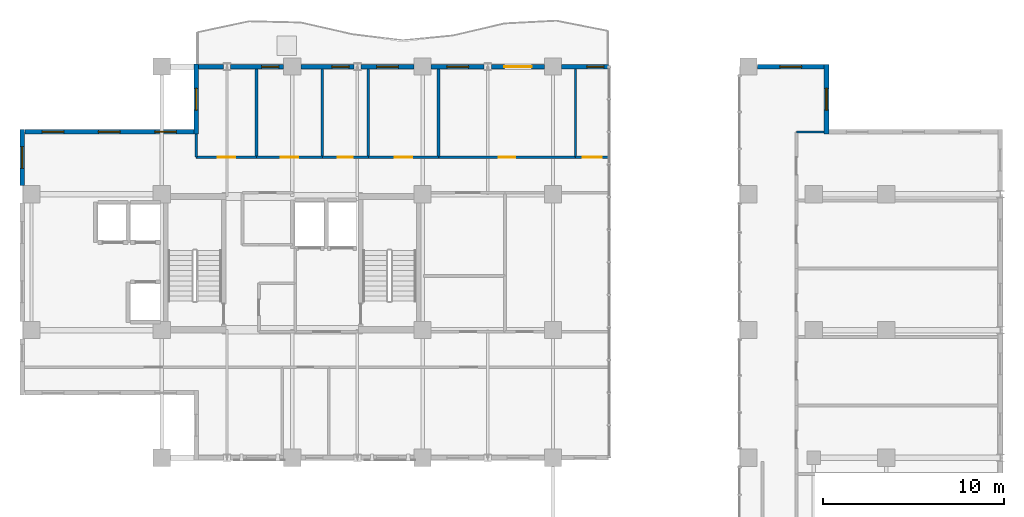
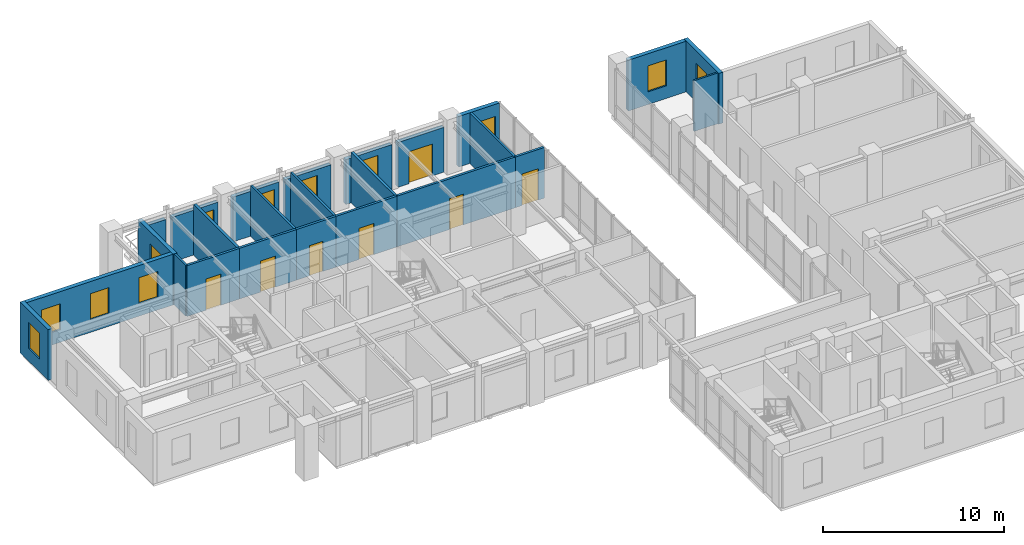
# One storey, part 20 of 24: 25 walls, 12 windows, 7 doors, 19 openings.
"""IFC4 building model written with IfcOpenShell, lengths in metres."""

from ifc_helpers import new_model, si_unit, direction, frame, frame_2d, origin, place, context, subcontext, project, spatial, rectangle, extrude, material, layer, layer_set, type_object, element, fill, save


model = new_model("IFC4")

# Units and contexts
model_context = context("Model", 3, precision=1e-05, world=origin(), true_north=direction((0.0, 1.0)))
body_context = subcontext(model_context, "Body", "Model", "MODEL_VIEW")
ifc_project = project(units=[si_unit("LENGTHUNIT", "METRE"), si_unit("AREAUNIT", "SQUARE_METRE"), si_unit("VOLUMEUNIT", "CUBIC_METRE"), si_unit("PLANEANGLEUNIT", "RADIAN"), si_unit("MASSUNIT", "GRAM", prefix="KILO")], contexts=[model_context])

# Site, building, storey
site_placement = place(None, origin())
site = spatial("IfcSite", under=ifc_project, at=site_placement, CompositionType="ELEMENT")
building_placement = place(site_placement, origin())
building = spatial("IfcBuilding", under=site, at=building_placement, Name="Kaliganga Portal Commons", CompositionType="ELEMENT")
storey_placement = place(building_placement, frame((0.0, 0.0, 242.5)))
storey = spatial("IfcBuildingStorey", under=building, at=storey_placement, Name="L62", CompositionType="ELEMENT", Elevation=242.5)

# Wall, opening, window
ifc_material_1 = material(Name="Insulated Aluminium-Clad Spandrel Assembly", Category="aluminium")
ifc_layer_1 = layer(ifc_material_1, 0.260009765625)
ifc_layer_set_1 = layer_set([ifc_layer_1], Name="Insulated Aluminium-Clad Spandrel Assembly")
wall_type_1 = type_object("IfcWallType", Name="WL-EXT-SPAND-260", PredefinedType="STANDARD", material=ifc_layer_set_1)
wall_1_placement = place(storey_placement, frame((36.47607421875, 43.199951171875, 0.0), z_axis=(0.0, 0.0, 1.0), x_axis=(1.0, 0.0, 0.0)))
wall_1 = element("IfcWall", 1, at=wall_1_placement, inside=storey, type_object=wall_type_1, Name="Exterior Envelope Wall L62 P1-E02-S1", PredefinedType="STANDARD", context=body_context, shape_type="SweptSolid", body=[
    extrude(rectangle(XDim=2.5869140625, YDim=0.260009765625, at=frame_2d((1.29345703125, 0.0))), origin(), (0.0, 0.0, 1.0), 3.419921875),
])
opening_1_placement = place(wall_1_placement, frame((1.3876953125, 0.0, 0.85009765625)))
opening_1 = element("IfcOpeningElement", 2, at=opening_1_placement, cuts=wall_1, Name="Opening W-04", PredefinedType="OPENING", context=body_context, shape_type="SweptSolid", body=[
    extrude(rectangle(XDim=0.949951171875, YDim=1.75, at=frame_2d((0.47509765625, 0.875))), frame((0.0, 0.14013671875, 0.0), z_axis=(0.0, -1.0, 0.0), x_axis=(1.0, 0.0, 0.0)), (0.0, 0.0, 1.0), 0.280029296875),
])
ifc_material_2 = material(Name="Thermally Broken Aluminium and Low-E Double Glazing", Category="aluminium")
window_type_1 = type_object("IfcWindowType", Name="WIN-NARROW-950", PartitioningType="SINGLE_PANEL", PredefinedType="WINDOW", material=ifc_material_2)
window_1_placement = place(opening_1_placement, origin())
window_1 = element("IfcWindow", 3, at=window_1_placement, inside=storey, type_object=window_type_1, Name="Facade Window L62-P1E02S1-N4", OverallHeight=1.75, OverallWidth=0.949951171875, PartitioningType="SINGLE_PANEL", PredefinedType="WINDOW", context=body_context, shape_type="SweptSolid", body=[
    extrude(rectangle(XDim=0.949951171875, YDim=1.75, at=frame_2d((0.47509765625, 0.875))), frame((0.0, 0.030029296875, 0.0), z_axis=(0.0, -1.0, 0.0), x_axis=(1.0, 0.0, 0.0)), (0.0, 0.0, 1.0), 0.06005859375),
])
fill(opening_1, window_1)

# Wall, opening, door
wall_2_placement = place(storey_placement, frame((32.6005859375, 43.199951171875, 0.0), z_axis=(0.0, 0.0, 1.0), x_axis=(1.0, 0.0, 0.0)))
wall_2 = element("IfcWall", 4, at=wall_2_placement, inside=storey, type_object=wall_type_1, Name="Exterior Envelope Wall L62 P1-E02-S2", PredefinedType="STANDARD", context=body_context, shape_type="SweptSolid", body=[
    extrude(rectangle(XDim=2.92333984375, YDim=0.260009765625, at=frame_2d((1.461669921875, 0.0))), origin(), (0.0, 0.0, 1.0), 3.02001953125),
])
opening_2_placement = place(wall_2_placement, frame((0.7119140625, 0.0, 0.0)))
opening_2 = element("IfcOpeningElement", 5, at=opening_2_placement, cuts=wall_2, Name="Opening BD-01", PredefinedType="OPENING", context=body_context, shape_type="SweptSolid", body=[
    extrude(rectangle(XDim=1.5, YDim=2.14990234375, at=frame_2d((0.75, 1.074951171875))), frame((0.0, 0.14013671875, 0.0), z_axis=(0.0, -1.0, 0.0), x_axis=(1.0, 0.0, 0.0)), (0.0, 0.0, 1.0), 0.280029296875),
])
ifc_material_3 = material(Name="Anodized Aluminium and Laminated Safety Glass", Category="aluminium")
door_type_1 = type_object("IfcDoorType", Name="DR-BALC-1500", OperationType="SLIDING_TO_LEFT", PredefinedType="DOOR", material=ifc_material_3)
door_1_placement = place(opening_2_placement, origin())
door_1 = element("IfcDoor", 6, at=door_1_placement, inside=storey, type_object=door_type_1, Name="Balcony Sliding Door L62 balc_north", OperationType="SLIDING_TO_LEFT", OverallHeight=2.14990234375, OverallWidth=1.5, PredefinedType="DOOR", context=body_context, shape_type="SweptSolid", body=[
    extrude(rectangle(XDim=1.5, YDim=2.14990234375, at=frame_2d((0.75, 1.074951171875))), frame((0.0, 0.02490234375, 0.0), z_axis=(0.0, -1.0, 0.0), x_axis=(1.0, 0.0, 0.0)), (0.0, 0.0, 1.0), 0.050048828125),
])
fill(opening_2, door_1)

# Wall, opening, window
wall_3_placement = place(storey_placement, frame((29.27587890625, 43.199951171875, 0.0), z_axis=(0.0, 0.0, 1.0), x_axis=(1.0, 0.0, 0.0)))
wall_3 = element("IfcWall", 7, at=wall_3_placement, inside=storey, type_object=wall_type_1, Name="Exterior Envelope Wall L62 P1-E02-S3", PredefinedType="STANDARD", context=body_context, shape_type="SweptSolid", body=[
    extrude(rectangle(XDim=2.923583984375, YDim=0.260009765625, at=frame_2d((1.4619140625, 0.0))), origin(), (0.0, 0.0, 1.0), 3.02001953125),
])
opening_3_placement = place(wall_3_placement, frame((0.86181640625, 0.0, 0.85009765625)))
opening_3 = element("IfcOpeningElement", 8, at=opening_3_placement, cuts=wall_3, Name="Opening W-03", PredefinedType="OPENING", context=body_context, shape_type="SweptSolid", body=[
    extrude(rectangle(XDim=1.199951171875, YDim=1.75, at=frame_2d((0.60009765625, 0.875))), frame((0.0, 0.14013671875, 0.0), z_axis=(0.0, -1.0, 0.0), x_axis=(1.0, 0.0, 0.0)), (0.0, 0.0, 1.0), 0.280029296875),
])
window_type_2 = type_object("IfcWindowType", Name="WIN-STD-1200", PartitioningType="SINGLE_PANEL", PredefinedType="WINDOW", material=ifc_material_2)
window_2_placement = place(opening_3_placement, origin())
window_2 = element("IfcWindow", 9, at=window_2_placement, inside=storey, type_object=window_type_2, Name="Facade Window L62-P1E02S3-00", OverallHeight=1.75, OverallWidth=1.199951171875, PartitioningType="SINGLE_PANEL", PredefinedType="WINDOW", context=body_context, shape_type="SweptSolid", body=[
    extrude(rectangle(XDim=1.199951171875, YDim=1.75, at=frame_2d((0.60009765625, 0.875))), frame((0.0, 0.030029296875, 0.0), z_axis=(0.0, -1.0, 0.0), x_axis=(1.0, 0.0, 0.0)), (0.0, 0.0, 1.0), 0.06005859375),
])
fill(opening_3, window_2)

wall_4_placement = place(storey_placement, frame((25.400390625, 43.199951171875, 0.0), z_axis=(0.0, 0.0, 1.0), x_axis=(1.0, 0.0, 0.0)))
wall_4 = element("IfcWall", 10, at=wall_4_placement, inside=storey, type_object=wall_type_1, Name="Exterior Envelope Wall L62 P1-E02-S4", PredefinedType="STANDARD", context=body_context, shape_type="SweptSolid", body=[
    extrude(rectangle(XDim=2.923583984375, YDim=0.260009765625, at=frame_2d((1.4619140625, 0.0))), origin(), (0.0, 0.0, 1.0), 3.02001953125),
])
opening_4_placement = place(wall_4_placement, frame((0.86181640625, 0.0, 0.85009765625)))
opening_4 = element("IfcOpeningElement", 11, at=opening_4_placement, cuts=wall_4, Name="Opening W-03", PredefinedType="OPENING", context=body_context, shape_type="SweptSolid", body=[
    extrude(rectangle(XDim=1.199951171875, YDim=1.75, at=frame_2d((0.60009765625, 0.875))), frame((0.0, 0.14013671875, 0.0), z_axis=(0.0, -1.0, 0.0), x_axis=(1.0, 0.0, 0.0)), (0.0, 0.0, 1.0), 0.280029296875),
])
window_3_placement = place(opening_4_placement, origin())
window_3 = element("IfcWindow", 12, at=window_3_placement, inside=storey, type_object=window_type_2, Name="Facade Window L62-P1E02S4-00", OverallHeight=1.75, OverallWidth=1.199951171875, PartitioningType="SINGLE_PANEL", PredefinedType="WINDOW", context=body_context, shape_type="SweptSolid", body=[
    extrude(rectangle(XDim=1.199951171875, YDim=1.75, at=frame_2d((0.60009765625, 0.875))), frame((0.0, 0.030029296875, 0.0), z_axis=(0.0, -1.0, 0.0), x_axis=(1.0, 0.0, 0.0)), (0.0, 0.0, 1.0), 0.06005859375),
])
fill(opening_4, window_3)

wall_5_placement = place(storey_placement, frame((22.075927734375, 43.199951171875, 0.0), z_axis=(0.0, 0.0, 1.0), x_axis=(1.0, 0.0, 0.0)))
wall_5 = element("IfcWall", 13, at=wall_5_placement, inside=storey, type_object=wall_type_1, Name="Exterior Envelope Wall L62 P1-E02-S5", PredefinedType="STANDARD", context=body_context, shape_type="SweptSolid", body=[
    extrude(rectangle(XDim=2.923583984375, YDim=0.260009765625, at=frame_2d((1.4619140625, 0.0))), origin(), (0.0, 0.0, 1.0), 3.02001953125),
])
opening_5_placement = place(wall_5_placement, frame((1.7119140625, 0.0, 0.85009765625)))
opening_5 = element("IfcOpeningElement", 14, at=opening_5_placement, cuts=wall_5, Name="Opening W-04", PredefinedType="OPENING", context=body_context, shape_type="SweptSolid", body=[
    extrude(rectangle(XDim=0.949951171875, YDim=1.75, at=frame_2d((0.47509765625, 0.875))), frame((0.0, 0.14013671875, 0.0), z_axis=(0.0, -1.0, 0.0), x_axis=(1.0, 0.0, 0.0)), (0.0, 0.0, 1.0), 0.280029296875),
])
window_4_placement = place(opening_5_placement, origin())
window_4 = element("IfcWindow", 15, at=window_4_placement, inside=storey, type_object=window_type_1, Name="Facade Window L62-P1E02S5-N2", OverallHeight=1.75, OverallWidth=0.949951171875, PartitioningType="SINGLE_PANEL", PredefinedType="WINDOW", context=body_context, shape_type="SweptSolid", body=[
    extrude(rectangle(XDim=0.949951171875, YDim=1.75, at=frame_2d((0.47509765625, 0.875))), frame((0.0, 0.030029296875, 0.0), z_axis=(0.0, -1.0, 0.0), x_axis=(1.0, 0.0, 0.0)), (0.0, 0.0, 1.0), 0.06005859375),
])
fill(opening_5, window_4)

wall_6_placement = place(storey_placement, frame((18.200439453125, 43.199951171875, 0.0), z_axis=(0.0, 0.0, 1.0), x_axis=(1.0, 0.0, 0.0)))
wall_6 = element("IfcWall", 16, at=wall_6_placement, inside=storey, type_object=wall_type_1, Name="Exterior Envelope Wall L62 P1-E02-S6", PredefinedType="STANDARD", context=body_context, shape_type="SweptSolid", body=[
    extrude(rectangle(XDim=2.923583984375, YDim=0.260009765625, at=frame_2d((1.4619140625, 0.0))), origin(), (0.0, 0.0, 1.0), 3.02001953125),
])
opening_6_placement = place(wall_6_placement, frame((1.7119140625, 0.0, 0.85009765625)))
opening_6 = element("IfcOpeningElement", 17, at=opening_6_placement, cuts=wall_6, Name="Opening W-04", PredefinedType="OPENING", context=body_context, shape_type="SweptSolid", body=[
    extrude(rectangle(XDim=0.949951171875, YDim=1.75, at=frame_2d((0.47509765625, 0.875))), frame((0.0, 0.14013671875, 0.0), z_axis=(0.0, -1.0, 0.0), x_axis=(1.0, 0.0, 0.0)), (0.0, 0.0, 1.0), 0.280029296875),
])
window_5_placement = place(opening_6_placement, origin())
window_5 = element("IfcWindow", 18, at=window_5_placement, inside=storey, type_object=window_type_1, Name="Facade Window L62-P1E02S6-N2", OverallHeight=1.75, OverallWidth=0.949951171875, PartitioningType="SINGLE_PANEL", PredefinedType="WINDOW", context=body_context, shape_type="SweptSolid", body=[
    extrude(rectangle(XDim=0.949951171875, YDim=1.75, at=frame_2d((0.47509765625, 0.875))), frame((0.0, 0.030029296875, 0.0), z_axis=(0.0, -1.0, 0.0), x_axis=(1.0, 0.0, 0.0)), (0.0, 0.0, 1.0), 0.06005859375),
])
fill(opening_6, window_5)

# Wall
wall_7_placement = place(storey_placement, frame((16.43505859375, 43.199951171875, 0.0), z_axis=(0.0, 0.0, 1.0), x_axis=(1.0, 0.0, 0.0)))
element("IfcWall", 19, at=wall_7_placement, inside=storey, type_object=wall_type_1, Name="Exterior Envelope Wall L62 P1-E02-S7", PredefinedType="STANDARD", context=body_context, shape_type="SweptSolid", body=[
    extrude(rectangle(XDim=1.364501953125, YDim=0.260009765625, at=frame_2d((0.68212890625, 0.0))), origin(), (0.0, 0.0, 1.0), 3.02001953125),
])

# Wall, opening, window
wall_8_placement = place(storey_placement, frame((16.300048828125, 39.469970703125, 0.0), z_axis=(0.0, 0.0, 1.0), x_axis=(0.0, 1.0, 0.0)))
wall_8 = element("IfcWall", 20, at=wall_8_placement, inside=storey, type_object=wall_type_1, Name="Exterior Envelope Wall L62 P1-E03-S1", PredefinedType="STANDARD", context=body_context, shape_type="SweptSolid", body=[
    extrude(rectangle(XDim=3.860107421875, YDim=0.260009765625, at=frame_2d((1.93017578125, 0.0))), origin(), (0.0, 0.0, 1.0), 3.419921875),
])
opening_7_placement = place(wall_8_placement, frame((1.330078125, 0.0, 0.85009765625)))
opening_7 = element("IfcOpeningElement", 21, at=opening_7_placement, cuts=wall_8, Name="Opening W-03", PredefinedType="OPENING", context=body_context, shape_type="SweptSolid", body=[
    extrude(rectangle(XDim=1.199951171875, YDim=1.75, at=frame_2d((0.60009765625, 0.875))), frame((0.0, 0.14013671875, 0.0), z_axis=(0.0, -1.0, 0.0), x_axis=(1.0, 0.0, 0.0)), (0.0, 0.0, 1.0), 0.280029296875),
])
window_6_placement = place(opening_7_placement, origin())
window_6 = element("IfcWindow", 22, at=window_6_placement, inside=storey, type_object=window_type_2, Name="Facade Window L62-P1E03S1-00", OverallHeight=1.75, OverallWidth=1.199951171875, PartitioningType="SINGLE_PANEL", PredefinedType="WINDOW", context=body_context, shape_type="SweptSolid", body=[
    extrude(rectangle(XDim=1.199951171875, YDim=1.75, at=frame_2d((0.60009765625, 0.875))), frame((0.0, 0.030029296875, 0.0), z_axis=(0.0, -1.0, 0.0), x_axis=(1.0, 0.0, 0.0)), (0.0, 0.0, 1.0), 0.06005859375),
])
fill(opening_7, window_6)

# Wall, openings, windows
wall_9_placement = place(storey_placement, frame((6.8349609375, 39.60009765625, 0.0), z_axis=(0.0, 0.0, 1.0), x_axis=(1.0, 0.0, 0.0)))
wall_9 = element("IfcWall", 23, at=wall_9_placement, inside=storey, type_object=wall_type_1, Name="Exterior Envelope Wall L62 P1-E04-S1", PredefinedType="STANDARD", context=body_context, shape_type="SweptSolid", body=[
    extrude(rectangle(XDim=9.330078125, YDim=0.260009765625, at=frame_2d((4.6650390625, 0.0))), origin(), (0.0, 0.0, 1.0), 3.419921875),
])
opening_8_placement = place(wall_9_placement, frame((0.955078125, 0.0, 0.85009765625)))
opening_8 = element("IfcOpeningElement", 24, at=opening_8_placement, cuts=wall_9, Name="Opening W-03", PredefinedType="OPENING", context=body_context, shape_type="SweptSolid", body=[
    extrude(rectangle(XDim=1.199951171875, YDim=1.75, at=frame_2d((0.60009765625, 0.875))), frame((0.0, 0.14013671875, 0.0), z_axis=(0.0, -1.0, 0.0), x_axis=(1.0, 0.0, 0.0)), (0.0, 0.0, 1.0), 0.280029296875),
])
opening_9_placement = place(wall_9_placement, frame((4.06494140625, 0.0, 0.85009765625)))
opening_9 = element("IfcOpeningElement", 25, at=opening_9_placement, cuts=wall_9, Name="Opening W-03", PredefinedType="OPENING", context=body_context, shape_type="SweptSolid", body=[
    extrude(rectangle(XDim=1.199951171875, YDim=1.75, at=frame_2d((0.60009765625, 0.875))), frame((0.0, 0.14013671875, 0.0), z_axis=(0.0, -1.0, 0.0), x_axis=(1.0, 0.0, 0.0)), (0.0, 0.0, 1.0), 0.280029296875),
])
opening_10_placement = place(wall_9_placement, frame((7.175048828125, 0.0, 0.85009765625)))
opening_10 = element("IfcOpeningElement", 26, at=opening_10_placement, cuts=wall_9, Name="Opening W-03", PredefinedType="OPENING", context=body_context, shape_type="SweptSolid", body=[
    extrude(rectangle(XDim=1.199951171875, YDim=1.75, at=frame_2d((0.60009765625, 0.875))), frame((0.0, 0.14013671875, 0.0), z_axis=(0.0, -1.0, 0.0), x_axis=(1.0, 0.0, 0.0)), (0.0, 0.0, 1.0), 0.280029296875),
])
window_7_placement = place(opening_8_placement, origin())
window_7 = element("IfcWindow", 27, at=window_7_placement, inside=storey, type_object=window_type_2, Name="Facade Window L62-P1E04S1-00", OverallHeight=1.75, OverallWidth=1.199951171875, PartitioningType="SINGLE_PANEL", PredefinedType="WINDOW", context=body_context, shape_type="SweptSolid", body=[
    extrude(rectangle(XDim=1.199951171875, YDim=1.75, at=frame_2d((0.60009765625, 0.875))), frame((0.0, 0.030029296875, 0.0), z_axis=(0.0, -1.0, 0.0), x_axis=(1.0, 0.0, 0.0)), (0.0, 0.0, 1.0), 0.06005859375),
])
fill(opening_8, window_7)
window_8_placement = place(opening_9_placement, origin())
window_8 = element("IfcWindow", 28, at=window_8_placement, inside=storey, type_object=window_type_2, Name="Facade Window L62-P1E04S1-01", OverallHeight=1.75, OverallWidth=1.199951171875, PartitioningType="SINGLE_PANEL", PredefinedType="WINDOW", context=body_context, shape_type="SweptSolid", body=[
    extrude(rectangle(XDim=1.199951171875, YDim=1.75, at=frame_2d((0.60009765625, 0.875))), frame((0.0, 0.030029296875, 0.0), z_axis=(0.0, -1.0, 0.0), x_axis=(1.0, 0.0, 0.0)), (0.0, 0.0, 1.0), 0.06005859375),
])
fill(opening_9, window_8)
window_9_placement = place(opening_10_placement, origin())
window_9 = element("IfcWindow", 29, at=window_9_placement, inside=storey, type_object=window_type_2, Name="Facade Window L62-P1E04S1-02", OverallHeight=1.75, OverallWidth=1.199951171875, PartitioningType="SINGLE_PANEL", PredefinedType="WINDOW", context=body_context, shape_type="SweptSolid", body=[
    extrude(rectangle(XDim=1.199951171875, YDim=1.75, at=frame_2d((0.60009765625, 0.875))), frame((0.0, 0.030029296875, 0.0), z_axis=(0.0, -1.0, 0.0), x_axis=(1.0, 0.0, 0.0)), (0.0, 0.0, 1.0), 0.06005859375),
])
fill(opening_10, window_9)

# Wall, opening, window
wall_10_placement = place(storey_placement, frame((6.699951171875, 36.6259765625, 0.0), z_axis=(0.0, 0.0, 1.0), x_axis=(0.0, 1.0, 0.0)))
wall_10 = element("IfcWall", 30, at=wall_10_placement, inside=storey, type_object=wall_type_1, Name="Exterior Envelope Wall L62 P1-E05-S1", PredefinedType="STANDARD", context=body_context, shape_type="SweptSolid", body=[
    extrude(rectangle(XDim=3.10400390625, YDim=0.260009765625, at=frame_2d((1.552001953125, 0.0))), origin(), (0.0, 0.0, 1.0), 3.419921875),
])
opening_11_placement = place(wall_10_placement, frame((0.951904296875, 0.0, 0.85009765625)))
opening_11 = element("IfcOpeningElement", 31, at=opening_11_placement, cuts=wall_10, Name="Opening W-03", PredefinedType="OPENING", context=body_context, shape_type="SweptSolid", body=[
    extrude(rectangle(XDim=1.199951171875, YDim=1.75, at=frame_2d((0.60009765625, 0.875))), frame((0.0, 0.14013671875, 0.0), z_axis=(0.0, -1.0, 0.0), x_axis=(1.0, 0.0, 0.0)), (0.0, 0.0, 1.0), 0.280029296875),
])
window_10_placement = place(opening_11_placement, origin())
window_10 = element("IfcWindow", 32, at=window_10_placement, inside=storey, type_object=window_type_2, Name="Facade Window L62-P1E05S1-00", OverallHeight=1.75, OverallWidth=1.199951171875, PartitioningType="SINGLE_PANEL", PredefinedType="WINDOW", context=body_context, shape_type="SweptSolid", body=[
    extrude(rectangle(XDim=1.199951171875, YDim=1.75, at=frame_2d((0.60009765625, 0.875))), frame((0.0, 0.030029296875, 0.0), z_axis=(0.0, -1.0, 0.0), x_axis=(1.0, 0.0, 0.0)), (0.0, 0.0, 1.0), 0.06005859375),
])
fill(opening_11, window_10)

wall_11_placement = place(storey_placement, frame((51.10009765625, 43.330078125, 0.0), z_axis=(0.0, 0.0, 1.0), x_axis=(0.0, -1.0, 0.0)))
wall_11 = element("IfcWall", 33, at=wall_11_placement, inside=storey, type_object=wall_type_1, Name="Exterior Envelope Wall L62 P2-E05-S1", PredefinedType="STANDARD", context=body_context, shape_type="SweptSolid", body=[
    extrude(rectangle(XDim=3.860107421875, YDim=0.260009765625, at=frame_2d((1.93017578125, 0.0))), origin(), (0.0, 0.0, 1.0), 3.419921875),
])
opening_12_placement = place(wall_11_placement, frame((1.330078125, 0.0, 0.85009765625)))
opening_12 = element("IfcOpeningElement", 34, at=opening_12_placement, cuts=wall_11, Name="Opening W-03", PredefinedType="OPENING", context=body_context, shape_type="SweptSolid", body=[
    extrude(rectangle(XDim=1.199951171875, YDim=1.75, at=frame_2d((0.60009765625, 0.875))), frame((0.0, 0.14013671875, 0.0), z_axis=(0.0, -1.0, 0.0), x_axis=(1.0, 0.0, 0.0)), (0.0, 0.0, 1.0), 0.280029296875),
])
window_11_placement = place(opening_12_placement, origin())
window_11 = element("IfcWindow", 35, at=window_11_placement, inside=storey, type_object=window_type_2, Name="Facade Window L62-P2E05S1-00", OverallHeight=1.75, OverallWidth=1.199951171875, PartitioningType="SINGLE_PANEL", PredefinedType="WINDOW", context=body_context, shape_type="SweptSolid", body=[
    extrude(rectangle(XDim=1.199951171875, YDim=1.75, at=frame_2d((0.60009765625, 0.875))), frame((0.0, 0.030029296875, 0.0), z_axis=(0.0, -1.0, 0.0), x_axis=(1.0, 0.0, 0.0)), (0.0, 0.0, 1.0), 0.06005859375),
])
fill(opening_12, window_11)

wall_12_placement = place(storey_placement, frame((47.27587890625, 43.199951171875, 0.0), z_axis=(0.0, 0.0, 1.0), x_axis=(1.0, 0.0, 0.0)))
wall_12 = element("IfcWall", 36, at=wall_12_placement, inside=storey, type_object=wall_type_1, Name="Exterior Envelope Wall L62 P2-E06-S1", PredefinedType="STANDARD", context=body_context, shape_type="SweptSolid", body=[
    extrude(rectangle(XDim=3.689208984375, YDim=0.260009765625, at=frame_2d((1.8447265625, 0.0))), origin(), (0.0, 0.0, 1.0), 3.419921875),
])
opening_13_placement = place(wall_12_placement, frame((1.244384765625, 0.0, 0.85009765625)))
opening_13 = element("IfcOpeningElement", 37, at=opening_13_placement, cuts=wall_12, Name="Opening W-03", PredefinedType="OPENING", context=body_context, shape_type="SweptSolid", body=[
    extrude(rectangle(XDim=1.199951171875, YDim=1.75, at=frame_2d((0.60009765625, 0.875))), frame((0.0, 0.14013671875, 0.0), z_axis=(0.0, -1.0, 0.0), x_axis=(1.0, 0.0, 0.0)), (0.0, 0.0, 1.0), 0.280029296875),
])
window_12_placement = place(opening_13_placement, origin())
window_12 = element("IfcWindow", 38, at=window_12_placement, inside=storey, type_object=window_type_2, Name="Facade Window L62-P2E06S1-00", OverallHeight=1.75, OverallWidth=1.199951171875, PartitioningType="SINGLE_PANEL", PredefinedType="WINDOW", context=body_context, shape_type="SweptSolid", body=[
    extrude(rectangle(XDim=1.199951171875, YDim=1.75, at=frame_2d((0.60009765625, 0.875))), frame((0.0, 0.030029296875, 0.0), z_axis=(0.0, -1.0, 0.0), x_axis=(1.0, 0.0, 0.0)), (0.0, 0.0, 1.0), 0.06005859375),
])
fill(opening_13, window_12)

# Wall, opening, door
ifc_material_4 = material(Name="Fire-Rated Gypsum Board on Steel Stud", Category="steel")
ifc_layer_2 = layer(ifc_material_4, 0.14990234375)
ifc_layer_set_2 = layer_set([ifc_layer_2], Name="Fire-Rated Gypsum Board on Steel Stud")
wall_type_2 = type_object("IfcWallType", Name="WL-PART-CORR-150", PredefinedType="PARTITIONING", material=ifc_layer_set_2)
wall_13_placement = place(storey_placement, frame((29.679931640625, 38.199951171875, 0.0), z_axis=(0.0, 0.0, 1.0), x_axis=(1.0, 0.0, 0.0)))
wall_13 = element("IfcWall", 39, at=wall_13_placement, inside=storey, type_object=wall_type_2, Name="Interior Partition L62-005", PredefinedType="PARTITIONING", context=body_context, shape_type="SweptSolid", body=[
    extrude(rectangle(XDim=7.56005859375, YDim=0.14990234375, at=frame_2d((3.780029296875, 0.0))), origin(), (0.0, 0.0, 1.0), 3.419921875),
])
opening_14_placement = place(wall_13_placement, frame((3.330078125, 0.0, 0.0)))
opening_14 = element("IfcOpeningElement", 40, at=opening_14_placement, cuts=wall_13, Name="Opening RD-01", PredefinedType="OPENING", context=body_context, shape_type="SweptSolid", body=[
    extrude(rectangle(XDim=0.89990234375, YDim=2.080078125, at=frame_2d((0.449951171875, 1.0400390625))), frame((0.0, 0.0849609375, 0.0), z_axis=(0.0, -1.0, 0.0), x_axis=(1.0, 0.0, 0.0)), (0.0, 0.0, 1.0), 0.169921875),
])
ifc_material_5 = material(Name="Engineered Timber Flush Door", Category="wood")
door_type_2 = type_object("IfcDoorType", Name="DR-ROOM-900", OperationType="NOTDEFINED", PredefinedType="DOOR", material=ifc_material_5)
door_2_placement = place(opening_14_placement, origin())
door_2 = element("IfcDoor", 41, at=door_2_placement, inside=storey, type_object=door_type_2, Name="Interior Door L62-AN05", OperationType="SINGLE_SWING_LEFT", OverallHeight=2.080078125, OverallWidth=0.89990234375, PredefinedType="DOOR", context=body_context, shape_type="SweptSolid", body=[
    extrude(rectangle(XDim=0.89990234375, YDim=2.080078125, at=frame_2d((0.449951171875, 1.0400390625))), frame((0.0, 0.02490234375, 0.0), z_axis=(0.0, -1.0, 0.0), x_axis=(1.0, 0.0, 0.0)), (0.0, 0.0, 1.0), 0.050048828125),
])
fill(opening_14, door_2)

wall_14_placement = place(storey_placement, frame((25.800048828125, 38.199951171875, 0.0), z_axis=(0.0, 0.0, 1.0), x_axis=(1.0, 0.0, 0.0)))
wall_14 = element("IfcWall", 42, at=wall_14_placement, inside=storey, type_object=wall_type_2, Name="Interior Partition L62-013", PredefinedType="PARTITIONING", context=body_context, shape_type="SweptSolid", body=[
    extrude(rectangle(XDim=3.8798828125, YDim=0.14990234375, at=frame_2d((1.93994140625, 0.0))), origin(), (0.0, 0.0, 1.0), 3.419921875),
])
opening_15_placement = place(wall_14_placement, frame((1.465087890625, 0.0, 0.0)))
opening_15 = element("IfcOpeningElement", 43, at=opening_15_placement, cuts=wall_14, Name="Opening UD-01", PredefinedType="OPENING", context=body_context, shape_type="SweptSolid", body=[
    extrude(rectangle(XDim=0.949951171875, YDim=2.10009765625, at=frame_2d((0.47509765625, 1.050048828125))), frame((0.0, 0.0849609375, 0.0), z_axis=(0.0, -1.0, 0.0), x_axis=(1.0, 0.0, 0.0)), (0.0, 0.0, 1.0), 0.169921875),
])
ifc_material_6 = material(Name="Solid-Core Timber Acoustic Fire Door", Category="wood")
door_type_3 = type_object("IfcDoorType", Name="DR-UNIT-950", OperationType="NOTDEFINED", PredefinedType="DOOR", material=ifc_material_6)
door_3_placement = place(opening_15_placement, origin())
door_3 = element("IfcDoor", 44, at=door_3_placement, inside=storey, type_object=door_type_3, Name="Interior Door L62-AN04", OperationType="SINGLE_SWING_LEFT", OverallHeight=2.10009765625, OverallWidth=0.949951171875, PredefinedType="DOOR", context=body_context, shape_type="SweptSolid", body=[
    extrude(rectangle(XDim=0.949951171875, YDim=2.10009765625, at=frame_2d((0.47509765625, 1.050048828125))), frame((0.0, 0.02490234375, 0.0), z_axis=(0.0, -1.0, 0.0), x_axis=(1.0, 0.0, 0.0)), (0.0, 0.0, 1.0), 0.050048828125),
])
fill(opening_15, door_3)

wall_15_placement = place(storey_placement, frame((19.639892578125, 38.199951171875, 0.0), z_axis=(0.0, 0.0, 1.0), x_axis=(1.0, 0.0, 0.0)))
wall_15 = element("IfcWall", 45, at=wall_15_placement, inside=storey, type_object=wall_type_2, Name="Interior Partition L62-021", PredefinedType="PARTITIONING", context=body_context, shape_type="SweptSolid", body=[
    extrude(rectangle(XDim=3.6201171875, YDim=0.14990234375, at=frame_2d((1.81005859375, 0.0))), origin(), (0.0, 0.0, 1.0), 3.419921875),
])
opening_16_placement = place(wall_15_placement, frame((1.3349609375, 0.0, 0.0)))
opening_16 = element("IfcOpeningElement", 46, at=opening_16_placement, cuts=wall_15, Name="Opening UD-01", PredefinedType="OPENING", context=body_context, shape_type="SweptSolid", body=[
    extrude(rectangle(XDim=0.949951171875, YDim=2.10009765625, at=frame_2d((0.47509765625, 1.050048828125))), frame((0.0, 0.0849609375, 0.0), z_axis=(0.0, -1.0, 0.0), x_axis=(1.0, 0.0, 0.0)), (0.0, 0.0, 1.0), 0.169921875),
])
door_4_placement = place(opening_16_placement, origin())
door_4 = element("IfcDoor", 47, at=door_4_placement, inside=storey, type_object=door_type_3, Name="Interior Door L62-AN02", OperationType="SINGLE_SWING_RIGHT", OverallHeight=2.10009765625, OverallWidth=0.949951171875, PredefinedType="DOOR", context=body_context, shape_type="SweptSolid", body=[
    extrude(rectangle(XDim=0.949951171875, YDim=2.10009765625, at=frame_2d((0.47509765625, 1.050048828125))), frame((0.0, 0.02490234375, 0.0), z_axis=(0.0, -1.0, 0.0), x_axis=(1.0, 0.0, 0.0)), (0.0, 0.0, 1.0), 0.050048828125),
])
fill(opening_16, door_4)

wall_16_placement = place(storey_placement, frame((16.300048828125, 38.199951171875, 0.0), z_axis=(0.0, 0.0, 1.0), x_axis=(1.0, 0.0, 0.0)))
wall_16 = element("IfcWall", 48, at=wall_16_placement, inside=storey, type_object=wall_type_2, Name="Interior Partition L62-023", PredefinedType="PARTITIONING", context=body_context, shape_type="SweptSolid", body=[
    extrude(rectangle(XDim=3.33984375, YDim=0.14990234375, at=frame_2d((1.669921875, 0.0))), origin(), (0.0, 0.0, 1.0), 3.419921875),
])
opening_17_placement = place(wall_16_placement, frame((1.195068359375, 0.0, 0.0)))
opening_17 = element("IfcOpeningElement", 49, at=opening_17_placement, cuts=wall_16, Name="Opening UD-01", PredefinedType="OPENING", context=body_context, shape_type="SweptSolid", body=[
    extrude(rectangle(XDim=0.949951171875, YDim=2.10009765625, at=frame_2d((0.47509765625, 1.050048828125))), frame((0.0, 0.0849609375, 0.0), z_axis=(0.0, -1.0, 0.0), x_axis=(1.0, 0.0, 0.0)), (0.0, 0.0, 1.0), 0.169921875),
])
door_5_placement = place(opening_17_placement, origin())
door_5 = element("IfcDoor", 50, at=door_5_placement, inside=storey, type_object=door_type_3, Name="Interior Door L62-AN01", OperationType="SINGLE_SWING_RIGHT", OverallHeight=2.10009765625, OverallWidth=0.949951171875, PredefinedType="DOOR", context=body_context, shape_type="SweptSolid", body=[
    extrude(rectangle(XDim=0.949951171875, YDim=2.10009765625, at=frame_2d((0.47509765625, 1.050048828125))), frame((0.0, 0.02490234375, 0.0), z_axis=(0.0, -1.0, 0.0), x_axis=(1.0, 0.0, 0.0)), (0.0, 0.0, 1.0), 0.050048828125),
])
fill(opening_17, door_5)

wall_17_placement = place(storey_placement, frame((23.260009765625, 38.199951171875, 0.0), z_axis=(0.0, 0.0, 1.0), x_axis=(1.0, 0.0, 0.0)))
wall_17 = element("IfcWall", 51, at=wall_17_placement, inside=storey, type_object=wall_type_2, Name="Interior Partition L62-030", PredefinedType="PARTITIONING", context=body_context, shape_type="SweptSolid", body=[
    extrude(rectangle(XDim=2.5400390625, YDim=0.14990234375, at=frame_2d((1.27001953125, 0.0))), origin(), (0.0, 0.0, 1.0), 3.419921875),
])
opening_18_placement = place(wall_17_placement, frame((0.844970703125, 0.0, 0.0)))
opening_18 = element("IfcOpeningElement", 52, at=opening_18_placement, cuts=wall_17, Name="Opening WD-01", PredefinedType="OPENING", context=body_context, shape_type="SweptSolid", body=[
    extrude(rectangle(XDim=0.85009765625, YDim=2.0400390625, at=frame_2d((0.425048828125, 1.02001953125))), frame((0.0, 0.0849609375, 0.0), z_axis=(0.0, -1.0, 0.0), x_axis=(1.0, 0.0, 0.0)), (0.0, 0.0, 1.0), 0.169921875),
])
ifc_material_7 = material(Name="Moisture-Resistant Laminate Timber Door", Category="wood")
door_type_4 = type_object("IfcDoorType", Name="DR-WET-850", OperationType="NOTDEFINED", PredefinedType="DOOR", material=ifc_material_7)
door_6_placement = place(opening_18_placement, origin())
door_6 = element("IfcDoor", 53, at=door_6_placement, inside=storey, type_object=door_type_4, Name="Interior Door L62-AN03", OperationType="SINGLE_SWING_RIGHT", OverallHeight=2.0400390625, OverallWidth=0.85009765625, PredefinedType="DOOR", context=body_context, shape_type="SweptSolid", body=[
    extrude(rectangle(XDim=0.85009765625, YDim=2.0400390625, at=frame_2d((0.425048828125, 1.02001953125))), frame((0.0, 0.02490234375, 0.0), z_axis=(0.0, -1.0, 0.0), x_axis=(1.0, 0.0, 0.0)), (0.0, 0.0, 1.0), 0.050048828125),
])
fill(opening_18, door_6)

wall_18_placement = place(storey_placement, frame((37.239990234375, 38.199951171875, 0.0), z_axis=(0.0, 0.0, 1.0), x_axis=(1.0, 0.0, 0.0)))
wall_18 = element("IfcWall", 54, at=wall_18_placement, inside=storey, type_object=wall_type_2, Name="Interior Partition L62-035", PredefinedType="PARTITIONING", context=body_context, shape_type="SweptSolid", body=[
    extrude(rectangle(XDim=1.840087890625, YDim=0.14990234375, at=frame_2d((0.919921875, 0.0))), origin(), (0.0, 0.0, 1.0), 3.419921875),
])
opening_19_placement = place(wall_18_placement, frame((0.39501953125, 0.0, 0.0)))
opening_19 = element("IfcOpeningElement", 55, at=opening_19_placement, cuts=wall_18, Name="Opening UD-02", PredefinedType="OPENING", context=body_context, shape_type="SweptSolid", body=[
    extrude(rectangle(XDim=1.050048828125, YDim=2.1201171875, at=frame_2d((0.52490234375, 1.06005859375))), frame((0.0, 0.0849609375, 0.0), z_axis=(0.0, -1.0, 0.0), x_axis=(1.0, 0.0, 0.0)), (0.0, 0.0, 1.0), 0.169921875),
])
ifc_material_8 = material(Name="Accessible Wide-Leaf Acoustic Fire Door", Category="wood")
door_type_5 = type_object("IfcDoorType", Name="DR-ACC-1050", OperationType="NOTDEFINED", PredefinedType="DOOR", material=ifc_material_8)
door_7_placement = place(opening_19_placement, origin())
door_7 = element("IfcDoor", 56, at=door_7_placement, inside=storey, type_object=door_type_5, Name="Interior Door L62-AN06", OperationType="SINGLE_SWING_LEFT", OverallHeight=2.1201171875, OverallWidth=1.050048828125, PredefinedType="DOOR", context=body_context, shape_type="SweptSolid", body=[
    extrude(rectangle(XDim=1.050048828125, YDim=2.1201171875, at=frame_2d((0.52490234375, 1.06005859375))), frame((0.0, 0.02490234375, 0.0), z_axis=(0.0, -1.0, 0.0), x_axis=(1.0, 0.0, 0.0)), (0.0, 0.0, 1.0), 0.050048828125),
])
fill(opening_19, door_7)

# Walls
ifc_material_9 = material(Name="Moisture-Resistant Gypsum Partition", Category="gypsum")
ifc_layer_3 = layer(ifc_material_9, 0.114990234375)
ifc_layer_set_3 = layer_set([ifc_layer_3], Name="Moisture-Resistant Gypsum Partition")
wall_type_3 = type_object("IfcWallType", Name="WL-PART-ROOM-115", PredefinedType="PARTITIONING", material=ifc_layer_set_3)
wall_19_placement = place(storey_placement, frame((49.43994140625, 39.60009765625, 0.0), z_axis=(0.0, 0.0, 1.0), x_axis=(1.0, 0.0, 0.0)))
element("IfcWall", 57, at=wall_19_placement, inside=storey, type_object=wall_type_3, Name="Interior Partition L62-046", PredefinedType="PARTITIONING", context=body_context, shape_type="SweptSolid", body=[
    extrude(rectangle(XDim=1.528076171875, YDim=0.114990234375, at=frame_2d((0.76416015625, 0.0))), origin(), (0.0, 0.0, 1.0), 3.419921875),
])
wall_20_placement = place(storey_placement, frame((16.300048828125, 38.199951171875, 0.0), z_axis=(0.0, 0.0, 1.0), x_axis=(0.0, 1.0, 0.0)))
element("IfcWall", 58, at=wall_20_placement, inside=storey, type_object=wall_type_3, Name="Interior Partition L62-047", PredefinedType="PARTITIONING", context=body_context, shape_type="SweptSolid", body=[
    extrude(rectangle(XDim=1.26806640625, YDim=0.114990234375, at=frame_2d((0.634033203125, 0.0))), origin(), (0.0, 0.0, 1.0), 3.419921875),
])
ifc_material_10 = material(Name="Twin-Stud Acoustic Gypsum Partition", Category="gypsum")
ifc_layer_4 = layer(ifc_material_10, 0.1650390625)
ifc_layer_set_4 = layer_set([ifc_layer_4], Name="Twin-Stud Acoustic Gypsum Partition")
wall_type_4 = type_object("IfcWallType", Name="WL-PART-UNIT-165", PredefinedType="PARTITIONING", material=ifc_layer_set_4)
for number, where, z_axis, x_axis, name in (
    (59, (19.639892578125, 38.199951171875, 0.0), (0.0, 0.0, 1.0), (0.0, 1.0, 0.0), "Interior Partition L62-048"),
    (60, (29.679931640625, 38.199951171875, 0.0), (0.0, 0.0, 1.0), (0.0, 1.0, 0.0), "Interior Partition L62-053"),
):
    element("IfcWall", number, at=place(storey_placement, frame(where, z_axis=z_axis, x_axis=x_axis)), inside=storey, type_object=wall_type_4, Name=name, PredefinedType="PARTITIONING", context=body_context, shape_type="SweptSolid", body=[
        extrude(rectangle(XDim=4.8681640625, YDim=0.1650390625, at=frame_2d((2.43408203125, 0.0))), origin(), (0.0, 0.0, 1.0), 3.419921875),
    ])
ifc_material_11 = material(Name="Cement-Board Wet-Room Partition", Category="gypsum")
ifc_layer_5 = layer(ifc_material_11, 0.135009765625)
ifc_layer_set_5 = layer_set([ifc_layer_5], Name="Cement-Board Wet-Room Partition")
wall_type_5 = type_object("IfcWallType", Name="WL-PART-WET-135", PredefinedType="PARTITIONING", material=ifc_layer_set_5)
for number, where, z_axis, x_axis, name in (
    (61, (23.260009765625, 38.199951171875, 0.0), (0.0, 0.0, 1.0), (0.0, 1.0, 0.0), "Interior Partition L62-050"),
    (62, (25.800048828125, 38.199951171875, 0.0), (0.0, 0.0, 1.0), (0.0, 1.0, 0.0), "Interior Partition L62-052"),
    (63, (37.239990234375, 38.199951171875, 0.0), (0.0, 0.0, 1.0), (0.0, 1.0, 0.0), "Interior Partition L62-054"),
):
    element("IfcWall", number, at=place(storey_placement, frame(where, z_axis=z_axis, x_axis=x_axis)), inside=storey, type_object=wall_type_5, Name=name, PredefinedType="PARTITIONING", context=body_context, shape_type="SweptSolid", body=[
        extrude(rectangle(XDim=4.8681640625, YDim=0.135009765625, at=frame_2d((2.43408203125, 0.0))), origin(), (0.0, 0.0, 1.0), 3.419921875),
    ])

save(model, "model.ifc")
